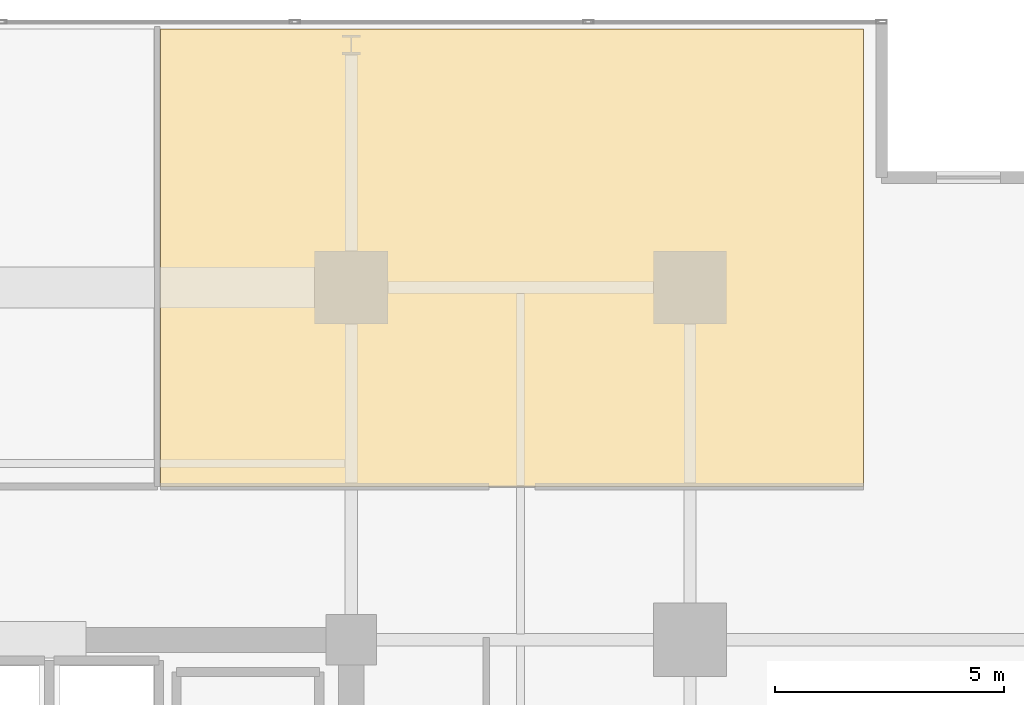
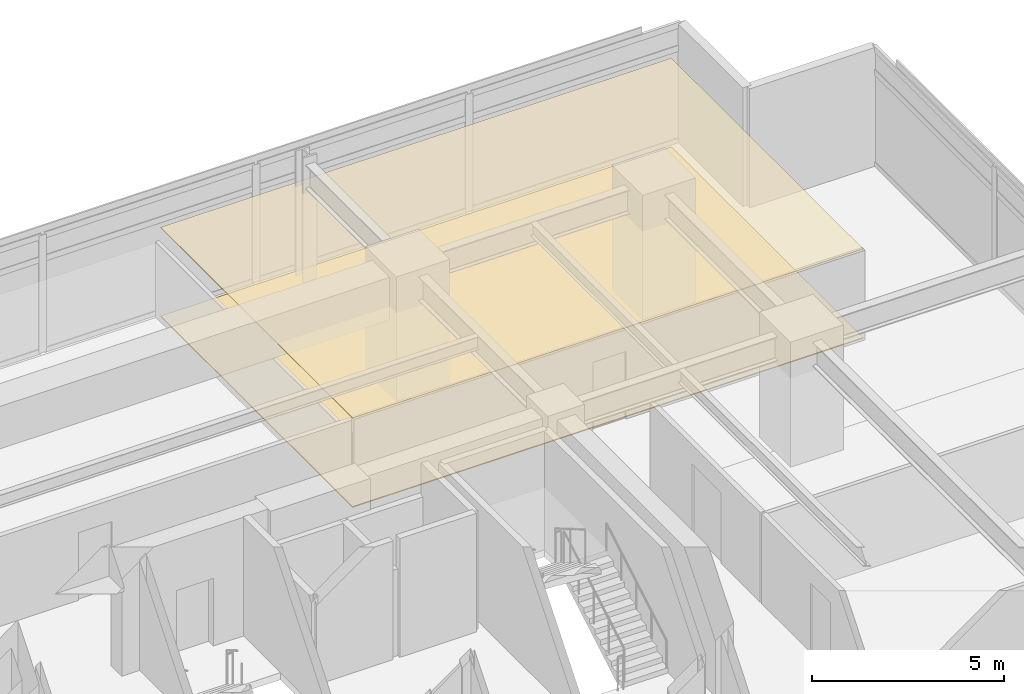
# One storey, part 23 of 23: 2 coverings.
"""IFC4 building model written with IfcOpenShell, lengths in metres."""

from ifc_helpers import new_model, si_unit, direction, frame, origin, place, context, subcontext, project, spatial, polyline, outline, extrude, material, layer, layer_set, type_object, element, save


model = new_model("IFC4")

# Units and contexts
model_context = context("Model", 3, precision=1e-05, world=origin(), true_north=direction((0.0, 1.0)))
body_context = subcontext(model_context, "Body", "Model", "MODEL_VIEW")
ifc_project = project(units=[si_unit("LENGTHUNIT", "METRE"), si_unit("AREAUNIT", "SQUARE_METRE"), si_unit("VOLUMEUNIT", "CUBIC_METRE"), si_unit("PLANEANGLEUNIT", "RADIAN"), si_unit("MASSUNIT", "GRAM", prefix="KILO")], contexts=[model_context])

# Site, building, storey
site_placement = place(None, origin())
site = spatial("IfcSite", under=ifc_project, at=site_placement, CompositionType="ELEMENT")
building_placement = place(site_placement, origin())
building = spatial("IfcBuilding", under=site, at=building_placement, Name="Kovane Verandah Tower", CompositionType="ELEMENT")
storey_placement = place(building_placement, frame((0.0, 0.0, 136.39990234375)))
storey = spatial("IfcBuildingStorey", under=building, at=storey_placement, Name="L31", CompositionType="ELEMENT", Elevation=136.39990234375)

# Coverings
ifc_material_1 = material(Name="Perforated Acoustic Mineral-Fibre Ceiling Tile", Category="gypsum")
ifc_layer_1 = layer(ifc_material_1, 0.02490234375)
ifc_layer_set_1 = layer_set([ifc_layer_1], Name="Perforated Acoustic Mineral-Fibre Ceiling Tile")
covering_type_1 = type_object("IfcCoveringType", Name="CV-CEIL-25", PredefinedType="CEILING", material=ifc_layer_set_1)
covering_1_placement = place(storey_placement, frame((0.0, 0.0, 2.8251953125)))
element("IfcCovering", 1, at=covering_1_placement, inside=storey, type_object=covering_type_1, Name="L31 Focus Studio N3 Acoustic Ceiling", PredefinedType="CEILING", context=body_context, shape_type="SweptSolid", body=[
    extrude(outline(polyline([(46.8330078125, 39.85009765625), (62.189697265625, 39.85009765625), (62.189697265625, 49.8505859375), (46.8330078125, 49.8505859375), (46.8330078125, 39.85009765625)])), origin(), (0.0, 0.0, 1.0), 0.02490234375),
])
ifc_material_2 = material(Name="Polished Terrazzo and Raised-Access Carpet Tile Finish", Category="concrete")
ifc_layer_2 = layer(ifc_material_2, 0.030029296875)
ifc_layer_set_2 = layer_set([ifc_layer_2], Name="Polished Terrazzo and Raised-Access Carpet Tile Finish")
covering_type_2 = type_object("IfcCoveringType", Name="CV-FLOR-30", PredefinedType="FLOORING", material=ifc_layer_set_2)
covering_2_placement = place(storey_placement, origin())
element("IfcCovering", 2, at=covering_2_placement, inside=storey, type_object=covering_type_2, Name="L31 Focus Studio N3 Floor Finish", PredefinedType="FLOORING", context=body_context, shape_type="SweptSolid", body=[
    extrude(outline(polyline([(46.8330078125, 39.85009765625), (62.189697265625, 39.85009765625), (62.189697265625, 49.8505859375), (46.8330078125, 49.8505859375), (46.8330078125, 39.85009765625)])), origin(), (0.0, 0.0, 1.0), 0.030029296875),
])

save(model, "model.ifc")
